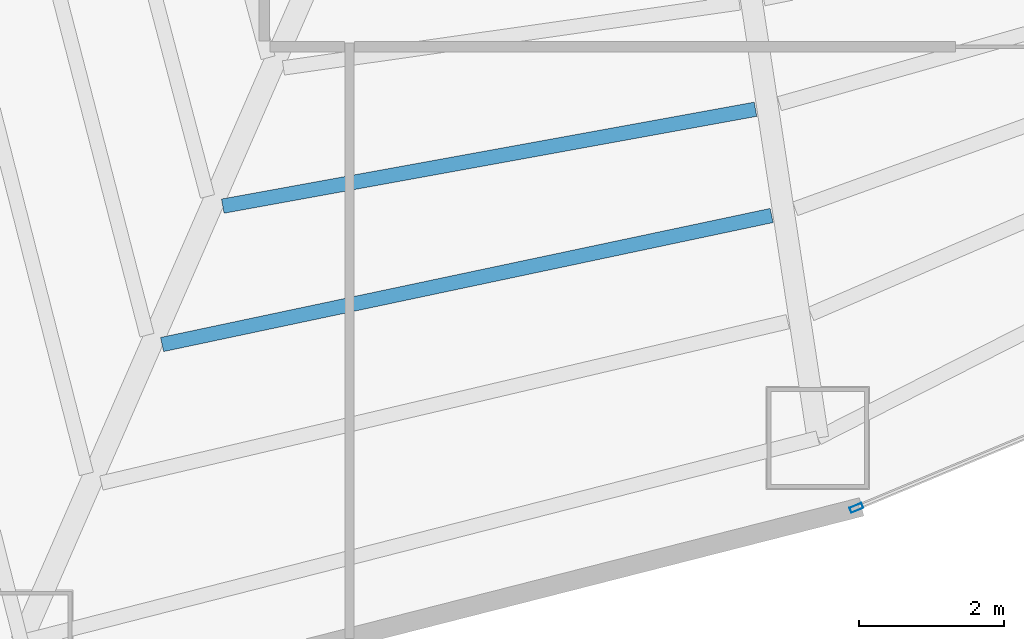
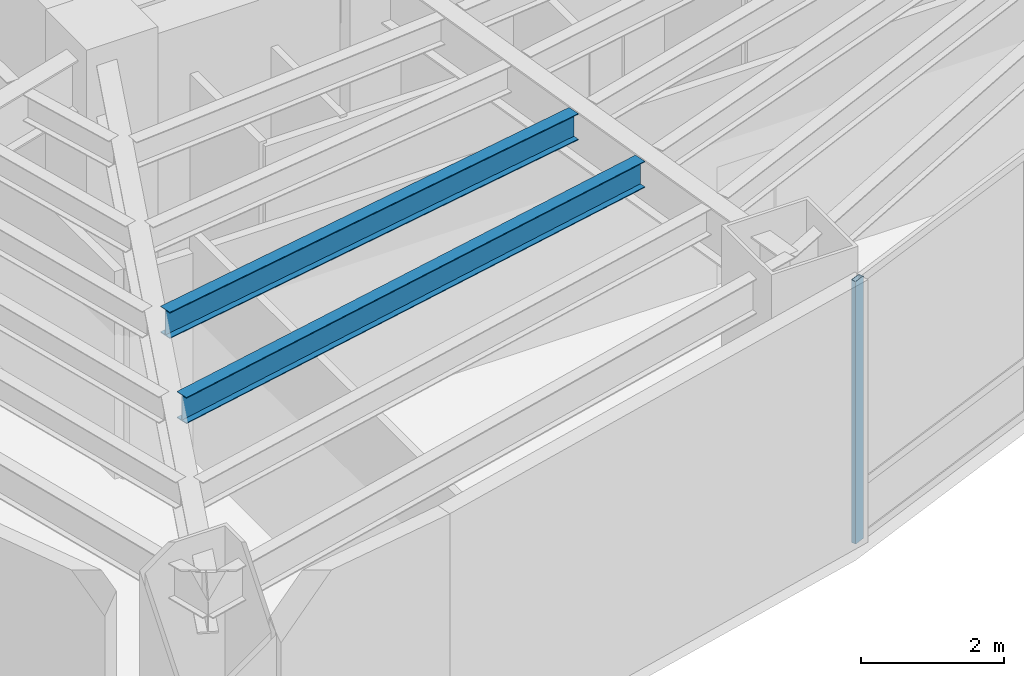
# One storey, part 2 of 18: 2 beams, 1 member, 1 element without a shape of its own.
"""IFC4 building model written with IfcOpenShell, lengths in metres."""

from ifc_helpers import new_model, si_unit, direction, frame, origin, origin_2d, place, context, subcontext, project, spatial, hollow_rectangle, i_section, extrude, material, layer, layer_set, material_profile, profile_set, type_object, element, aggregate, save


model = new_model("IFC4")

# Units and contexts
model_context = context("Model", 3, precision=1e-05, world=origin(), true_north=direction((0.0, 1.0)))
body_context = subcontext(model_context, "Body", "Model", "MODEL_VIEW")
ifc_project = project(units=[si_unit("LENGTHUNIT", "METRE"), si_unit("AREAUNIT", "SQUARE_METRE"), si_unit("VOLUMEUNIT", "CUBIC_METRE"), si_unit("PLANEANGLEUNIT", "RADIAN"), si_unit("MASSUNIT", "GRAM", prefix="KILO")], contexts=[model_context])

# Site, building, storey
site_placement = place(None, origin())
site = spatial("IfcSite", under=ifc_project, at=site_placement, CompositionType="ELEMENT")
building_placement = place(site_placement, origin())
building = spatial("IfcBuilding", under=site, at=building_placement, Name="Menara Vayukalpa", CompositionType="ELEMENT")
storey_placement = place(building_placement, frame((0.0, 0.0, 7.199951171875)))
storey = spatial("IfcBuildingStorey", under=building, at=storey_placement, Name="L01", CompositionType="ELEMENT", Elevation=7.199951171875)

# Beams
ifc_material_1 = material(Name="Steel S355", Category="steel")
ifc_material_profile_1 = material_profile(ifc_material_1, i_section(OverallWidth=0.199951171875, OverallDepth=0.449951171875, WebThickness=0.009033203125, FlangeThickness=0.013916015625, at=origin_2d()), Name="WF 450x200x9x14")
ifc_profile_set_1 = profile_set([ifc_material_profile_1], Name="Steel S355")
beam_type = type_object("IfcBeamType", Name="BM-SJ1", PredefinedType="JOIST", material=ifc_profile_set_1)
beam_1_placement = place(storey_placement, frame((15.247314453125, 11.00634765625, 4.255126953125), z_axis=(0.98386051846, 0.178937084517, 0.0), x_axis=(-0.178937084517, 0.98386051846, 0.0)))
element("IfcBeam", 1, at=beam_1_placement, inside=storey, type_object=beam_type, Name="L01 Secondary Floor Joist SJ07-3", PredefinedType="JOIST", context=body_context, shape_type="SweptSolid", body=[
    extrude(i_section(OverallWidth=0.199951171875, OverallDepth=0.449951171875, WebThickness=0.009033203125, FlangeThickness=0.013916015625, at=origin_2d()), origin(), (0.0, 0.0, 1.0), 7.48779296875),
])
beam_2_placement = place(storey_placement, frame((14.408203125, 9.0927734375, 4.255126953125), z_axis=(0.978324318859, 0.207078553039, 0.0), x_axis=(-0.207078553039, 0.978324318859, 0.0)))
element("IfcBeam", 2, at=beam_2_placement, inside=storey, type_object=beam_type, Name="L01 Secondary Floor Joist SJ07-4", PredefinedType="JOIST", context=body_context, shape_type="SweptSolid", body=[
    extrude(i_section(OverallWidth=0.199951171875, OverallDepth=0.449951171875, WebThickness=0.009033203125, FlangeThickness=0.013916015625, at=origin_2d()), origin(), (0.0, 0.0, 1.0), 8.615966796875),
])

# Curtain wall, member
ifc_material_2 = material(Name="Anodised Terracotta Aluminium Alloy 6063-T6", Category="masonry")
ifc_layer = layer(ifc_material_2, 0.179931640625)
ifc_layer_set = layer_set([ifc_layer], Name="Anodised Terracotta Aluminium Alloy 6063-T6")
curtain_wall_type = type_object("IfcCurtainWallType", Name="CW-CW1", PredefinedType="USERDEFINED", material=ifc_layer_set)
curtain_wall_placement = place(storey_placement, origin())
curtain_wall = element("IfcCurtainWall", 3, at=curtain_wall_placement, inside=storey, type_object=curtain_wall_type, Name="L01 Podium Unitised Ribbon Curtain Wall CW1 16", ObjectType="UNITISED", PredefinedType="USERDEFINED")
ifc_material_3 = material(Name="Anodised Terracotta Aluminium Alloy 6063-T6", Category="masonry")
ifc_material_profile_2 = material_profile(ifc_material_3, hollow_rectangle(XDim=0.074951171875, YDim=0.179931640625, WallThickness=0.00390625, at=origin_2d()), Name="ALU 75x180x4")
ifc_profile_set_2 = profile_set([ifc_material_profile_2], Name="Anodised Terracotta Aluminium Alloy 6063-T6")
member_type = type_object("IfcMemberType", Name="CWM-CW1", PredefinedType="MULLION", material=ifc_profile_set_2)
member_placement = place(storey_placement, frame((24.00927734375, 6.83447265625, 0.0), z_axis=(0.0, 0.0, 1.0), x_axis=(-0.385890613077, 0.922544543499, 0.0)))
member = element("IfcMember", 4, at=member_placement, type_object=member_type, Name="CW1 mullion 1", PredefinedType="MULLION", context=body_context, shape_type="SweptSolid", body=[
    extrude(hollow_rectangle(XDim=0.074951171875, YDim=0.179931640625, WallThickness=0.00390625, at=origin_2d()), origin(), (0.0, 0.0, 1.0), 4.47998046875),
])
aggregate(curtain_wall, [member])

save(model, "model.ifc")
